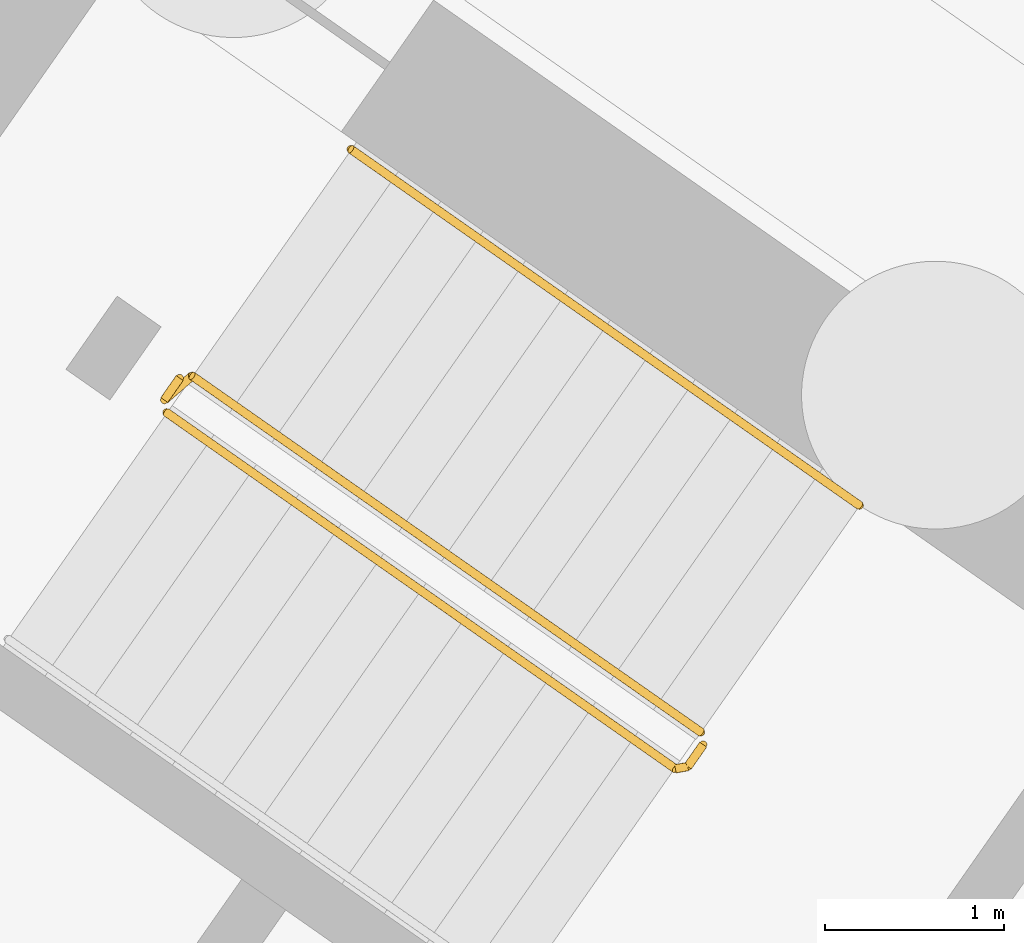
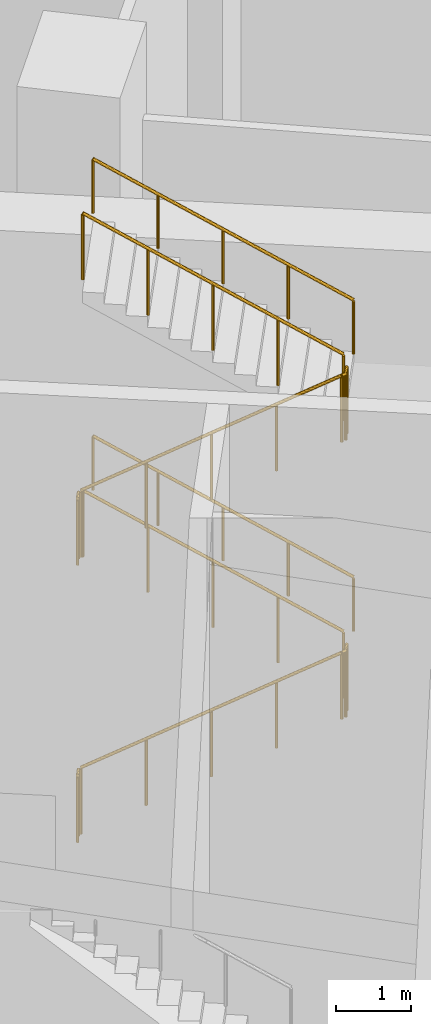
# One storey, part 19 of 23: 7 railings.
"""IFC4 building model written with IfcOpenShell, lengths in metres."""

from ifc_helpers import new_model, si_unit, direction, frame, origin, origin_2d, place, context, subcontext, project, spatial, circle, extrude, material, type_object, element, save


model = new_model("IFC4")

# Units and contexts
model_context = context("Model", 3, precision=1e-05, world=origin(), true_north=direction((0.0, 1.0)))
body_context = subcontext(model_context, "Body", "Model", "MODEL_VIEW")
ifc_project = project(units=[si_unit("LENGTHUNIT", "METRE"), si_unit("AREAUNIT", "SQUARE_METRE"), si_unit("VOLUMEUNIT", "CUBIC_METRE"), si_unit("PLANEANGLEUNIT", "RADIAN"), si_unit("MASSUNIT", "GRAM", prefix="KILO")], contexts=[model_context])

# Site, building, storey
site_placement = place(None, origin())
site = spatial("IfcSite", under=ifc_project, at=site_placement, CompositionType="ELEMENT")
building_placement = place(site_placement, origin())
building = spatial("IfcBuilding", under=site, at=building_placement, Name="Qamariyya Broadcast Tower", CompositionType="ELEMENT")
storey_placement = place(building_placement, origin())
storey = spatial("IfcBuildingStorey", under=building, at=storey_placement, Name="L00", CompositionType="ELEMENT", Elevation=0.0)

# Railings
ifc_material_1 = material(Name="Painted steel", Category="steel")
railing_type_1 = type_object("IfcRailingType", Name="Stair guard", PredefinedType="GUARDRAIL", material=ifc_material_1)
railing_1_placement = place(storey_placement, frame((-41.146728515625, -48.52490234375, 0.173095703125)))
element("IfcRailing", 1, at=railing_1_placement, inside=storey, type_object=railing_type_1, Name="L00 ST-W2 stair guard 1", PredefinedType="GUARDRAIL", context=body_context, shape_type="SweptSolid", body=[
    extrude(circle(Radius=0.02392578125, at=origin_2d()), frame((0.0, 0.0, 1.076171875), z_axis=(0.703423072377, -0.49252265477, 0.512462111562), x_axis=(0.573561211868, 0.819162704376, 0.0)), (0.0, 0.0, 1.0), 4.052734375),
    extrude(circle(Radius=0.02392578125, at=origin_2d()), frame((2.850830078125, -1.99609375, 3.15283203125), z_axis=(0.984363469884, 0.176149252506, 0.0), x_axis=(-0.176149252506, 0.984363469884, 0.0)), (0.0, 0.0, 1.0), 0.07080078125),
    extrude(circle(Radius=0.02392578125, at=origin_2d()), frame((2.92041015625, -1.983642578125, 3.15283203125), z_axis=(0.573353020881, 0.819308436089, 0.0), x_axis=(-0.819308436089, 0.573353020881, 0.0)), (0.0, 0.0, 1.0), 0.14990234375),
    extrude(circle(Radius=0.02099609375, at=origin_2d()), origin(), (0.0, 0.0, 1.0), 1.052001953125),
    extrude(circle(Radius=0.02099609375, at=origin_2d()), frame((0.712646484375, -0.4990234375, 0.519287109375)), (0.0, 0.0, 1.0), 1.052001953125),
    extrude(circle(Radius=0.02099609375, at=origin_2d()), frame((1.42529296875, -0.998046875, 1.03857421875)), (0.0, 0.0, 1.0), 1.052001953125),
    extrude(circle(Radius=0.02099609375, at=origin_2d()), frame((2.13818359375, -1.4970703125, 1.5576171875)), (0.0, 0.0, 1.0), 1.052001953125),
    extrude(circle(Radius=0.02099609375, at=origin_2d()), frame((2.850830078125, -1.99609375, 2.076904296875)), (0.0, 0.0, 1.0), 1.052001953125),
    extrude(circle(Radius=0.02099609375, at=origin_2d()), frame((2.92041015625, -1.983642578125, 2.076904296875)), (0.0, 0.0, 1.0), 1.052001953125),
    extrude(circle(Radius=0.02099609375, at=origin_2d()), frame((3.00634765625, -1.86083984375, 2.076904296875)), (0.0, 0.0, 1.0), 1.052001953125),
])
railing_2_placement = place(storey_placement, frame((-38.152587890625, -50.316162109375, 2.423095703125)))
element("IfcRailing", 2, at=railing_2_placement, inside=storey, type_object=railing_type_1, Name="L00 ST-W2 stair guard 2", PredefinedType="GUARDRAIL", context=body_context, shape_type="SweptSolid", body=[
    extrude(circle(Radius=0.02392578125, at=origin_2d()), frame((0.0, 0.0, 1.076171875), z_axis=(-0.703392637411, 0.492543525477, 0.512483827206), x_axis=(-0.573594173421, -0.819139624372, 0.0)), (0.0, 0.0, 1.0), 4.052734375),
    extrude(circle(Radius=0.02392578125, at=origin_2d()), frame((-2.8505859375, 1.99609375, 3.15283203125), z_axis=(-0.755063954535, -0.655651145474, 0.0), x_axis=(0.655651145474, -0.755063954535, 0.0)), (0.0, 0.0, 1.0), 0.206298828125),
    extrude(circle(Radius=0.02392578125, at=origin_2d()), frame((-3.00634765625, 1.86083984375, 3.15283203125), z_axis=(0.572588637393, 0.819842821722, 0.0), x_axis=(-0.819842821722, 0.572588637393, 0.0)), (0.0, 0.0, 1.0), 0.150146484375),
    extrude(circle(Radius=0.02099609375, at=origin_2d()), origin(), (0.0, 0.0, 1.0), 1.052001953125),
    extrude(circle(Radius=0.02099609375, at=origin_2d()), frame((-0.712646484375, 0.4990234375, 0.519287109375)), (0.0, 0.0, 1.0), 1.052001953125),
    extrude(circle(Radius=0.02099609375, at=origin_2d()), frame((-1.42529296875, 0.998046875, 1.03857421875)), (0.0, 0.0, 1.0), 1.052001953125),
    extrude(circle(Radius=0.02099609375, at=origin_2d()), frame((-2.137939453125, 1.4970703125, 1.5576171875)), (0.0, 0.0, 1.0), 1.052001953125),
    extrude(circle(Radius=0.02099609375, at=origin_2d()), frame((-2.8505859375, 1.99609375, 2.076904296875)), (0.0, 0.0, 1.0), 1.052001953125),
    extrude(circle(Radius=0.02099609375, at=origin_2d()), frame((-3.00634765625, 1.86083984375, 2.076904296875)), (0.0, 0.0, 1.0), 1.052001953125),
    extrude(circle(Radius=0.02099609375, at=origin_2d()), frame((-2.92041015625, 1.98388671875, 2.076904296875)), (0.0, 0.0, 1.0), 1.052001953125),
])
railing_3_placement = place(storey_placement, frame((-41.146728515625, -48.52490234375, 4.673095703125)))
element("IfcRailing", 3, at=railing_3_placement, inside=storey, type_object=railing_type_1, Name="L00 ST-W2 stair guard 3", PredefinedType="GUARDRAIL", context=body_context, shape_type="SweptSolid", body=[
    extrude(circle(Radius=0.02392578125, at=origin_2d()), frame((0.0, 0.0, 1.076171875), z_axis=(0.703423072377, -0.49252265477, 0.512462111562), x_axis=(0.573561211868, 0.819162704376, 0.0)), (0.0, 0.0, 1.0), 4.052734375),
    extrude(circle(Radius=0.02392578125, at=origin_2d()), frame((2.850830078125, -1.99609375, 3.15283203125), z_axis=(0.984363469884, 0.176149252506, 0.0), x_axis=(-0.176149252506, 0.984363469884, 0.0)), (0.0, 0.0, 1.0), 0.07080078125),
    extrude(circle(Radius=0.02392578125, at=origin_2d()), frame((2.92041015625, -1.983642578125, 3.15283203125), z_axis=(0.573353020881, 0.819308436089, 0.0), x_axis=(-0.819308436089, 0.573353020881, 0.0)), (0.0, 0.0, 1.0), 0.14990234375),
    extrude(circle(Radius=0.02099609375, at=origin_2d()), origin(), (0.0, 0.0, 1.0), 1.052001953125),
    extrude(circle(Radius=0.02099609375, at=origin_2d()), frame((0.712646484375, -0.4990234375, 0.519287109375)), (0.0, 0.0, 1.0), 1.052001953125),
    extrude(circle(Radius=0.02099609375, at=origin_2d()), frame((1.42529296875, -0.998046875, 1.03857421875)), (0.0, 0.0, 1.0), 1.052001953125),
    extrude(circle(Radius=0.02099609375, at=origin_2d()), frame((2.13818359375, -1.4970703125, 1.5576171875)), (0.0, 0.0, 1.0), 1.052001953125),
    extrude(circle(Radius=0.02099609375, at=origin_2d()), frame((2.850830078125, -1.99609375, 2.076904296875)), (0.0, 0.0, 1.0), 1.052001953125),
    extrude(circle(Radius=0.02099609375, at=origin_2d()), frame((2.92041015625, -1.983642578125, 2.076904296875)), (0.0, 0.0, 1.0), 1.052001953125),
    extrude(circle(Radius=0.02099609375, at=origin_2d()), frame((3.00634765625, -1.86083984375, 2.076904296875)), (0.0, 0.0, 1.0), 1.052001953125),
])
railing_4_placement = place(storey_placement, frame((-38.152587890625, -50.316162109375, 6.923095703125)))
element("IfcRailing", 4, at=railing_4_placement, inside=storey, type_object=railing_type_1, Name="L00 ST-W2 stair guard 4", PredefinedType="GUARDRAIL", context=body_context, shape_type="SweptSolid", body=[
    extrude(circle(Radius=0.02392578125, at=origin_2d()), frame((0.0, 0.0, 1.076171875), z_axis=(-0.703392637411, 0.492543525477, 0.512483827206), x_axis=(-0.573594173421, -0.819139624372, 0.0)), (0.0, 0.0, 1.0), 4.052734375),
    extrude(circle(Radius=0.02099609375, at=origin_2d()), origin(), (0.0, 0.0, 1.0), 1.052001953125),
    extrude(circle(Radius=0.02099609375, at=origin_2d()), frame((-0.712646484375, 0.4990234375, 0.519287109375)), (0.0, 0.0, 1.0), 1.052001953125),
    extrude(circle(Radius=0.02099609375, at=origin_2d()), frame((-1.42529296875, 0.998046875, 1.03857421875)), (0.0, 0.0, 1.0), 1.052001953125),
    extrude(circle(Radius=0.02099609375, at=origin_2d()), frame((-2.137939453125, 1.4970703125, 1.5576171875)), (0.0, 0.0, 1.0), 1.052001953125),
    extrude(circle(Radius=0.02099609375, at=origin_2d()), frame((-2.8505859375, 1.99609375, 2.076904296875)), (0.0, 0.0, 1.0), 1.052001953125),
])
railing_5_placement = place(storey_placement, frame((-41.158935546875, -48.455322265625, 0.0)))
element("IfcRailing", 5, at=railing_5_placement, inside=storey, type_object=railing_type_1, Name="L00 ST-W2 stair guard 5", PredefinedType="GUARDRAIL", context=body_context, shape_type="SweptSolid", body=[
    extrude(circle(Radius=0.02392578125, at=origin_2d()), frame((0.0, 0.0, 1.076171875), z_axis=(0.572588637393, 0.819842821722, 0.0), x_axis=(-0.819842821722, 0.572588637393, 0.0)), (0.0, 0.0, 1.0), 0.150146484375),
    extrude(circle(Radius=0.02099609375, at=origin_2d()), origin(), (0.0, 0.0, 1.0), 1.052001953125),
    extrude(circle(Radius=0.02099609375, at=origin_2d()), frame((0.0859375, 0.123046875, 0.0)), (0.0, 0.0, 1.0), 1.052001953125),
])
ifc_material_2 = material(Name="Stainless steel", Category="steel")
railing_type_2 = type_object("IfcRailingType", Name="Stair handrail", PredefinedType="HANDRAIL", material=ifc_material_2)
for number, where, name in (
    (6, (-37.263671875, -49.04638671875, 2.423095703125), "L00 ST-W2 stair handrail 2"),
    (7, (-37.263671875, -49.04638671875, 6.923095703125), "L00 ST-W2 stair handrail 4"),
):
    element("IfcRailing", number, at=place(storey_placement, frame(where)), inside=storey, type_object=railing_type_2, Name=name, PredefinedType="HANDRAIL", context=body_context, shape_type="SweptSolid", body=[
        extrude(circle(Radius=0.02392578125, at=origin_2d()), frame((0.0, 0.0, 0.8759765625), z_axis=(-0.703392637411, 0.492543525477, 0.512483827206), x_axis=(-0.573594173421, -0.819139624372, 0.0)), (0.0, 0.0, 1.0), 4.052734375),
        extrude(circle(Radius=0.02099609375, at=origin_2d()), origin(), (0.0, 0.0, 1.0), 0.851806640625),
        extrude(circle(Radius=0.02099609375, at=origin_2d()), frame((-0.712646484375, 0.4990234375, 0.519287109375)), (0.0, 0.0, 1.0), 0.851806640625),
        extrude(circle(Radius=0.02099609375, at=origin_2d()), frame((-1.42529296875, 0.998046875, 1.03857421875)), (0.0, 0.0, 1.0), 0.851806640625),
        extrude(circle(Radius=0.02099609375, at=origin_2d()), frame((-2.137939453125, 1.4970703125, 1.5576171875)), (0.0, 0.0, 1.0), 0.851806640625),
        extrude(circle(Radius=0.02099609375, at=origin_2d()), frame((-2.8505859375, 1.99609375, 2.076904296875)), (0.0, 0.0, 1.0), 0.851806640625),
    ])

save(model, "model.ifc")
